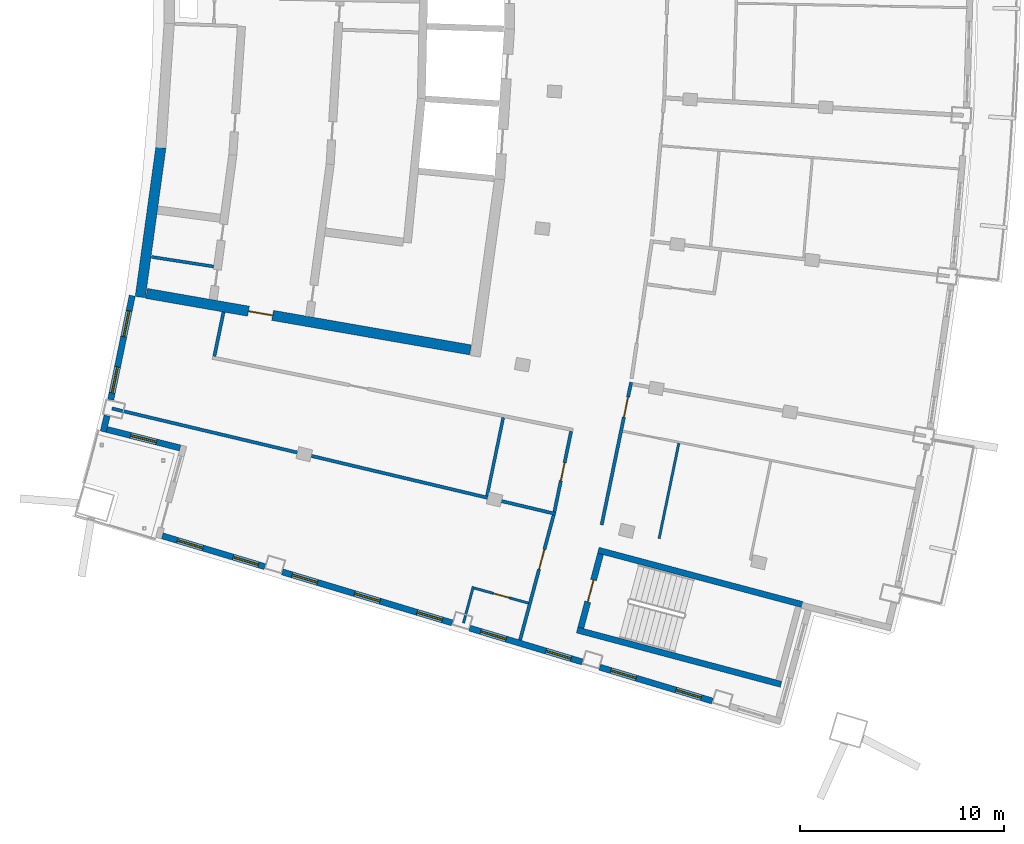
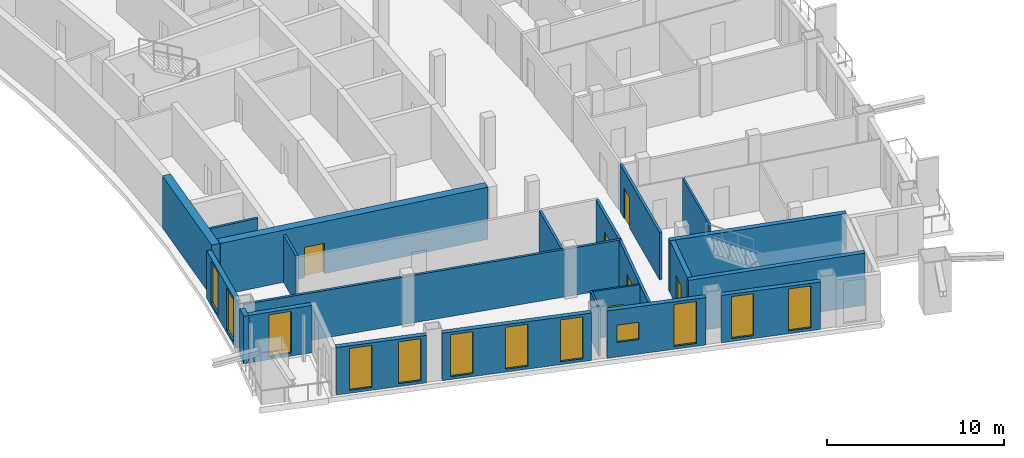
# One storey, part 5 of 15: 22 walls, 12 windows, 6 doors, 18 openings.
"""IFC4 building model written with IfcOpenShell, lengths in metres."""

from ifc_helpers import new_model, si_unit, direction, frame, frame_2d, origin, place, context, subcontext, project, spatial, rectangle, extrude, material, layer, layer_set, type_object, element, fill, save


model = new_model("IFC4")

# Units and contexts
model_context = context("Model", 3, precision=1e-05, world=origin(), true_north=direction((0.0, 1.0)))
body_context = subcontext(model_context, "Body", "Model", "MODEL_VIEW")
ifc_project = project(units=[si_unit("LENGTHUNIT", "METRE"), si_unit("AREAUNIT", "SQUARE_METRE"), si_unit("VOLUMEUNIT", "CUBIC_METRE"), si_unit("PLANEANGLEUNIT", "RADIAN"), si_unit("MASSUNIT", "GRAM", prefix="KILO")], contexts=[model_context])

# Site, building, storey
site_placement = place(None, origin())
site = spatial("IfcSite", under=ifc_project, at=site_placement, CompositionType="ELEMENT")
building_placement = place(site_placement, origin())
building = spatial("IfcBuilding", under=site, at=building_placement, Name="Alderwake Tower", CompositionType="ELEMENT")
storey_placement = place(building_placement, frame((0.0, 0.0, 285.199951171875)))
storey = spatial("IfcBuildingStorey", under=building, at=storey_placement, Name="L71", CompositionType="ELEMENT", Elevation=285.199951171875)

# Walls
ifc_material_1 = material(Name="Gypsum shaft wall system, rated")
ifc_layer_1 = layer(ifc_material_1, 0.14990234375)
ifc_layer_set_1 = layer_set([ifc_layer_1], Name="Core room partition 150")
wall_type_1 = type_object("IfcWallType", Name="Core room partition 150", PredefinedType="PARTITIONING", material=ifc_layer_set_1)
wall_1_placement = place(storey_placement, frame((15.826416015625, 46.128662109375, 0.0), z_axis=(0.0, 0.0, 1.0), x_axis=(0.988169349882, -0.153366671587, 0.0)))
element("IfcWall", 1, at=wall_1_placement, inside=storey, type_object=wall_type_1, Name="CW/L71/PR-161_+0", PredefinedType="PARTITIONING", context=body_context, shape_type="SweptSolid", body=[
    extrude(rectangle(XDim=3.081787109375, YDim=0.14990234375, at=frame_2d((1.541015625, 0.0))), origin(), (0.0, 0.0, 1.0), 3.280029296875),
])
ifc_material_2 = material(Name="Concrete C70/85", Category="concrete")
ifc_layer_2 = layer(ifc_material_2, 0.5)
ifc_layer_set_2 = layer_set([ifc_layer_2], Name="Core wall outer 500 C70-85")
wall_type_2 = type_object("IfcWallType", Name="Core wall outer 500 C70-85", PredefinedType="SHEAR", material=ifc_layer_set_2)
wall_2_placement = place(storey_placement, frame((15.272216796875, 44.155029296875, 0.0), z_axis=(0.0, 0.0, 1.0), x_axis=(0.13632182908, 0.990664604655, 0.0)))
element("IfcWall", 2, at=wall_2_placement, inside=storey, type_object=wall_type_2, Name="Core wall CW.028", PredefinedType="SHEAR", context=body_context, shape_type="SweptSolid", body=[
    extrude(rectangle(XDim=7.408935546875, YDim=0.5, at=frame_2d((3.70458984375, 0.0))), origin(), (0.0, 0.0, 1.0), 3.60009765625),
])

# Wall, opening, door
wall_3_placement = place(storey_placement, frame((31.47802734375, 41.564453125, 0.0), z_axis=(0.0, 0.0, 1.0), x_axis=(-0.985140274783, 0.171751678306, 0.0)))
wall_3 = element("IfcWall", 3, at=wall_3_placement, inside=storey, type_object=wall_type_2, Name="Core wall CW.072", PredefinedType="SHEAR", context=body_context, shape_type="SweptSolid", body=[
    extrude(rectangle(XDim=16.137939453125, YDim=0.5, at=frame_2d((8.06884765625, 0.0))), origin(), (0.0, 0.0, 1.0), 3.60009765625),
])
opening_1_placement = place(wall_3_placement, frame((9.859619140625, 0.0, 0.0)))
opening_1 = element("IfcOpeningElement", 4, at=opening_1_placement, cuts=wall_3, Name="Opening C003", PredefinedType="OPENING", context=body_context, shape_type="SweptSolid", body=[
    extrude(rectangle(XDim=1.199951171875, YDim=2.10009765625, at=frame_2d((0.60009765625, 1.050048828125))), frame((0.0, 0.260009765625, 0.0), z_axis=(0.0, -1.0, 0.0), x_axis=(1.0, 0.0, 0.0)), (0.0, 0.0, 1.0), 0.52001953125),
])
ifc_material_3 = material(Name="Steel-framed fire door leaf", Category="steel")
door_type_1 = type_object("IfcDoorType", Name="Core lobby exit door 1200 fire-rated", OperationType="SINGLE_SWING_LEFT", PredefinedType="DOOR", material=ifc_material_3)
door_1_placement = place(opening_1_placement, origin())
door_1 = element("IfcDoor", 5, at=door_1_placement, inside=storey, type_object=door_type_1, Name="Lobby door", OperationType="SINGLE_SWING_LEFT", OverallHeight=2.10009765625, OverallWidth=1.199951171875, PredefinedType="DOOR", context=body_context, shape_type="SweptSolid", body=[
    extrude(rectangle(XDim=1.199951171875, YDim=2.10009765625, at=frame_2d((0.60009765625, 1.050048828125))), frame((0.0, 0.02490234375, 0.0), z_axis=(0.0, -1.0, 0.0), x_axis=(1.0, 0.0, 0.0)), (0.0, 0.0, 1.0), 0.050048828125),
])
fill(opening_1, door_1)

# Walls
ifc_material_4 = material(Name="Concrete C70/85", Category="concrete")
ifc_layer_3 = layer(ifc_material_4, 0.300048828125)
ifc_layer_set_3 = layer_set([ifc_layer_3], Name="Core wall stair enclosure 300 C70-85")
wall_type_3 = type_object("IfcWallType", Name="Core wall stair enclosure 300 C70-85", PredefinedType="SHEAR", material=ifc_layer_set_3)
for number, where, z_axis, x_axis, name in (
    (6, (37.75390625, 31.731201171875, 0.0), (0.0, 0.0, 1.0), (0.966309214305, -0.257383958996, 0.0), "Core wall CW.086"),
    (7, (36.71142578125, 27.817626953125, 0.0), (0.0, 0.0, 1.0), (0.966309214305, -0.257383958996, 0.0), "Core wall CW.088"),
):
    element("IfcWall", number, at=place(storey_placement, frame(where, z_axis=z_axis, x_axis=x_axis)), inside=storey, type_object=wall_type_3, Name=name, PredefinedType="SHEAR", context=body_context, shape_type="SweptSolid", body=[
        extrude(rectangle(XDim=10.360107421875, YDim=0.300048828125, at=frame_2d((5.18017578125, 0.0))), origin(), (0.0, 0.0, 1.0), 3.60009765625),
    ])

# Wall, opening, door
wall_4_placement = place(storey_placement, frame((36.89501953125, 27.923828125, 0.0), z_axis=(0.0, 0.0, 1.0), x_axis=(0.257350630826, 0.966318090907, 0.0)))
wall_4 = element("IfcWall", 8, at=wall_4_placement, inside=storey, type_object=wall_type_3, Name="Core wall CW.087", PredefinedType="SHEAR", context=body_context, shape_type="SweptSolid", body=[
    extrude(rectangle(XDim=3.75, YDim=0.300048828125, at=frame_2d((1.875, 0.0))), origin(), (0.0, 0.0, 1.0), 3.60009765625),
])
opening_2_placement = place(wall_4_placement, frame((1.324951171875, 0.0, 0.0)))
opening_2 = element("IfcOpeningElement", 9, at=opening_2_placement, cuts=wall_4, Name="Opening C065", PredefinedType="OPENING", context=body_context, shape_type="SweptSolid", body=[
    extrude(rectangle(XDim=1.10009765625, YDim=2.10009765625, at=frame_2d((0.550048828125, 1.050048828125))), frame((0.0, 0.159912109375, 0.0), z_axis=(0.0, -1.0, 0.0), x_axis=(1.0, 0.0, 0.0)), (0.0, 0.0, 1.0), 0.320068359375),
])
ifc_material_5 = material(Name="Steel-framed fire door leaf", Category="steel")
door_type_2 = type_object("IfcDoorType", Name="Core stair door 1100 fire-rated", OperationType="SINGLE_SWING_LEFT", PredefinedType="DOOR", material=ifc_material_5)
door_2_placement = place(opening_2_placement, origin())
door_2 = element("IfcDoor", 10, at=door_2_placement, inside=storey, type_object=door_type_2, Name="Stair door", OperationType="SINGLE_SWING_LEFT", OverallHeight=2.10009765625, OverallWidth=1.10009765625, PredefinedType="DOOR", context=body_context, shape_type="SweptSolid", body=[
    extrude(rectangle(XDim=1.10009765625, YDim=2.10009765625, at=frame_2d((0.550048828125, 1.050048828125))), frame((0.0, 0.02490234375, 0.0), z_axis=(0.0, -1.0, 0.0), x_axis=(1.0, 0.0, 0.0)), (0.0, 0.0, 1.0), 0.050048828125),
])
fill(opening_2, door_2)

# Walls
ifc_material_6 = material(Name="Gypsum board on metal studs, rated")
ifc_layer_4 = layer(ifc_material_6, 0.159912109375)
ifc_layer_set_4 = layer_set([ifc_layer_4], Name="Corridor wall 160")
wall_type_4 = type_object("IfcWallType", Name="Corridor wall 160", PredefinedType="PARTITIONING", material=ifc_layer_set_4)
wall_5_placement = place(storey_placement, frame((13.884033203125, 38.68798828125, 0.0), z_axis=(0.0, 0.0, 1.0), x_axis=(0.972893462073, -0.231253781493, 0.0)))
element("IfcWall", 11, at=wall_5_placement, inside=storey, type_object=wall_type_4, Name="WL/L71/W08", PredefinedType="PARTITIONING", context=body_context, shape_type="SweptSolid", body=[
    extrude(rectangle(XDim=22.38037109375, YDim=0.159912109375, at=frame_2d((11.190185546875, 0.0))), origin(), (0.0, 0.0, 1.0), 3.280029296875),
])
wall_6_placement = place(storey_placement, frame((19.35888671875, 43.430908203125, 0.0), z_axis=(0.0, 0.0, 1.0), x_axis=(-0.202554916658, -0.979270905183, 0.0)))
element("IfcWall", 12, at=wall_6_placement, inside=storey, type_object=wall_type_4, Name="WL/L71/W11", PredefinedType="PARTITIONING", context=body_context, shape_type="SweptSolid", body=[
    extrude(rectangle(XDim=2.229736328125, YDim=0.159912109375, at=frame_2d((1.11474609375, 0.0))), origin(), (0.0, 0.0, 1.0), 3.280029296875),
])

# Wall, opening, door
wall_7_placement = place(storey_placement, frame((33.912109375, 27.321044921875, 0.0), z_axis=(0.0, 0.0, 1.0), x_axis=(0.259370874835, 0.965777794986, 0.0)))
wall_7 = element("IfcWall", 13, at=wall_7_placement, inside=storey, type_object=wall_type_4, Name="WL/L71/W14", PredefinedType="PARTITIONING", context=body_context, shape_type="SweptSolid", body=[
    extrude(rectangle(XDim=6.349853515625, YDim=0.159912109375, at=frame_2d((3.1748046875, 0.0))), origin(), (0.0, 0.0, 1.0), 3.280029296875),
])
opening_3_placement = place(wall_7_placement, frame((3.603515625, 0.0, 0.0)))
opening_3 = element("IfcOpeningElement", 14, at=opening_3_placement, cuts=wall_7, Name="Opening R20-U08.1", PredefinedType="OPENING", context=body_context, shape_type="SweptSolid", body=[
    extrude(rectangle(XDim=1.0, YDim=2.10009765625, at=frame_2d((0.5, 1.050048828125))), frame((0.0, 0.08984375, 0.0), z_axis=(0.0, -1.0, 0.0), x_axis=(1.0, 0.0, 0.0)), (0.0, 0.0, 1.0), 0.179931640625),
])
ifc_material_7 = material(Name="Solid timber leaf in steel frame", Category="steel")
door_type_3 = type_object("IfcDoorType", Name="Flat entrance door 1000 fire-rated", OperationType="SINGLE_SWING_LEFT", PredefinedType="DOOR", material=ifc_material_7)
door_3_placement = place(opening_3_placement, origin())
door_3 = element("IfcDoor", 15, at=door_3_placement, inside=storey, type_object=door_type_3, Name="DR/L71/U08.1", OperationType="SINGLE_SWING_LEFT", OverallHeight=2.10009765625, OverallWidth=1.0, PredefinedType="DOOR", context=body_context, shape_type="SweptSolid", body=[
    extrude(rectangle(XDim=1.0, YDim=2.10009765625, at=frame_2d((0.5, 1.050048828125))), frame((0.0, 0.02490234375, 0.0), z_axis=(0.0, -1.0, 0.0), x_axis=(1.0, 0.0, 0.0)), (0.0, 0.0, 1.0), 0.050048828125),
])
fill(opening_3, door_3)

wall_8_placement = place(storey_placement, frame((35.59619140625, 33.609375, 0.0), z_axis=(0.0, 0.0, 1.0), x_axis=(0.203245920818, 0.979127721838, 0.0)))
wall_8 = element("IfcWall", 16, at=wall_8_placement, inside=storey, type_object=wall_type_4, Name="WL/L71/W16", PredefinedType="PARTITIONING", context=body_context, shape_type="SweptSolid", body=[
    extrude(rectangle(XDim=4.046875, YDim=0.159912109375, at=frame_2d((2.0234375, 0.0))), origin(), (0.0, 0.0, 1.0), 3.280029296875),
])
opening_4_placement = place(wall_8_placement, frame((1.573486328125, 0.0, 0.0)))
opening_4 = element("IfcOpeningElement", 17, at=opening_4_placement, cuts=wall_8, Name="Opening R20-SBS2", PredefinedType="OPENING", context=body_context, shape_type="SweptSolid", body=[
    extrude(rectangle(XDim=0.89990234375, YDim=2.10009765625, at=frame_2d((0.449951171875, 1.050048828125))), frame((0.0, 0.08984375, 0.0), z_axis=(0.0, -1.0, 0.0), x_axis=(1.0, 0.0, 0.0)), (0.0, 0.0, 1.0), 0.179931640625),
])
ifc_material_8 = material(Name="Painted timber leaf", Category="wood")
door_type_4 = type_object("IfcDoorType", Name="Room door 900", OperationType="SINGLE_SWING_LEFT", PredefinedType="DOOR", material=ifc_material_8)
door_4_placement = place(opening_4_placement, origin())
door_4 = element("IfcDoor", 18, at=door_4_placement, inside=storey, type_object=door_type_4, Name="DR/L71/SBS2", OperationType="SINGLE_SWING_LEFT", OverallHeight=2.10009765625, OverallWidth=0.89990234375, PredefinedType="DOOR", context=body_context, shape_type="SweptSolid", body=[
    extrude(rectangle(XDim=0.89990234375, YDim=2.10009765625, at=frame_2d((0.449951171875, 1.050048828125))), frame((0.0, 0.02490234375, 0.0), z_axis=(0.0, -1.0, 0.0), x_axis=(1.0, 0.0, 0.0)), (0.0, 0.0, 1.0), 0.050048828125),
])
fill(opening_4, door_4)

wall_9_placement = place(storey_placement, frame((39.3642578125, 39.975341796875, 0.0), z_axis=(0.0, 0.0, 1.0), x_axis=(-0.202490391407, -0.979284249535, 0.0)))
wall_9 = element("IfcWall", 19, at=wall_9_placement, inside=storey, type_object=wall_type_4, Name="WL/L71/W18", PredefinedType="PARTITIONING", context=body_context, shape_type="SweptSolid", body=[
    extrude(rectangle(XDim=7.147216796875, YDim=0.159912109375, at=frame_2d((3.57373046875, 0.0))), origin(), (0.0, 0.0, 1.0), 3.280029296875),
])
opening_5_placement = place(wall_9_placement, frame((0.7568359375, 0.0, 0.0)))
opening_5 = element("IfcOpeningElement", 20, at=opening_5_placement, cuts=wall_9, Name="Opening R20-U03.2", PredefinedType="OPENING", context=body_context, shape_type="SweptSolid", body=[
    extrude(rectangle(XDim=1.0, YDim=2.10009765625, at=frame_2d((0.5, 1.050048828125))), frame((0.0, 0.08984375, 0.0), z_axis=(0.0, -1.0, 0.0), x_axis=(1.0, 0.0, 0.0)), (0.0, 0.0, 1.0), 0.179931640625),
])
door_5_placement = place(opening_5_placement, origin())
door_5 = element("IfcDoor", 21, at=door_5_placement, inside=storey, type_object=door_type_3, Name="DR/L71/U03.2", OperationType="SINGLE_SWING_LEFT", OverallHeight=2.10009765625, OverallWidth=1.0, PredefinedType="DOOR", context=body_context, shape_type="SweptSolid", body=[
    extrude(rectangle(XDim=1.0, YDim=2.10009765625, at=frame_2d((0.5, 1.050048828125))), frame((0.0, 0.02490234375, 0.0), z_axis=(0.0, -1.0, 0.0), x_axis=(1.0, 0.0, 0.0)), (0.0, 0.0, 1.0), 0.050048828125),
])
fill(opening_5, door_5)

# Wall
ifc_material_9 = material(Name="Precast concrete C50/60 spandrel panel", Category="concrete")
ifc_layer_5 = layer(ifc_material_9, 0.300048828125)
ifc_layer_set_5 = layer_set([ifc_layer_5], Name="External wall EW1 Precast concrete C50/60 spandrel")
wall_type_5 = type_object("IfcWallType", Name="External wall EW1 Precast concrete C50/60 spandrel", PredefinedType="SOLIDWALL", material=ifc_layer_set_5)
wall_10_placement = place(storey_placement, frame((13.643310546875, 38.33154296875, 0.0), z_axis=(0.0, 0.0, 1.0), x_axis=(-0.238313493867, -0.971188281767, 0.0)))
element("IfcWall", 22, at=wall_10_placement, inside=storey, type_object=wall_type_5, Name="External wall 1", PredefinedType="SOLIDWALL", context=body_context, shape_type="SweptSolid", body=[
    extrude(rectangle(XDim=0.80322265625, YDim=0.300048828125, at=frame_2d((0.401611328125, 0.0))), origin(), (0.0, 0.0, 1.0), 3.280029296875),
])

# Wall, openings, windows
wall_11_placement = place(storey_placement, frame((14.878173828125, 44.223388671875, 0.0), z_axis=(0.0, 0.0, 1.0), x_axis=(-0.202760516883, -0.979228355795, 0.0)))
wall_11 = element("IfcWall", 23, at=wall_11_placement, inside=storey, type_object=wall_type_5, Name="External wall 32", PredefinedType="SOLIDWALL", context=body_context, shape_type="SweptSolid", body=[
    extrude(rectangle(XDim=5.211181640625, YDim=0.300048828125, at=frame_2d((2.60546875, 0.0))), origin(), (0.0, 0.0, 1.0), 3.280029296875),
])
opening_6_placement = place(wall_11_placement, frame((0.75634765625, 0.0, 0.199951171875)))
opening_6 = element("IfcOpeningElement", 24, at=opening_6_placement, cuts=wall_11, Name="Opening W1", PredefinedType="OPENING", context=body_context, shape_type="SweptSolid", body=[
    extrude(rectangle(XDim=1.300048828125, YDim=2.89990234375, at=frame_2d((0.64990234375, 1.449951171875))), frame((0.0, 0.159912109375, 0.0), z_axis=(0.0, -1.0, 0.0), x_axis=(1.0, 0.0, 0.0)), (0.0, 0.0, 1.0), 0.320068359375),
])
opening_7_placement = place(wall_11_placement, frame((3.569091796875, 0.0, 0.199951171875)))
opening_7 = element("IfcOpeningElement", 25, at=opening_7_placement, cuts=wall_11, Name="Opening W1", PredefinedType="OPENING", context=body_context, shape_type="SweptSolid", body=[
    extrude(rectangle(XDim=1.300048828125, YDim=2.89990234375, at=frame_2d((0.64990234375, 1.449951171875))), frame((0.0, 0.159912109375, 0.0), z_axis=(0.0, -1.0, 0.0), x_axis=(1.0, 0.0, 0.0)), (0.0, 0.0, 1.0), 0.320068359375),
])
ifc_material_10 = material(Name="Bronze tinted glass in aluminium frame", Category="aluminium")
window_type_1 = type_object("IfcWindowType", Name="Window W1 tall fixed and vent", PartitioningType="DOUBLE_PANEL_VERTICAL", PredefinedType="WINDOW", material=ifc_material_10)
window_1_placement = place(opening_6_placement, origin())
window_1 = element("IfcWindow", 26, at=window_1_placement, inside=storey, type_object=window_type_1, Name="Window W1 tall fixed and vent", OverallHeight=2.89990234375, OverallWidth=1.300048828125, PartitioningType="DOUBLE_PANEL_VERTICAL", PredefinedType="WINDOW", context=body_context, shape_type="SweptSolid", body=[
    extrude(rectangle(XDim=1.300048828125, YDim=2.89990234375, at=frame_2d((0.64990234375, 1.449951171875))), frame((0.0, 0.030029296875, 0.0), z_axis=(0.0, -1.0, 0.0), x_axis=(1.0, 0.0, 0.0)), (0.0, 0.0, 1.0), 0.06005859375),
])
fill(opening_6, window_1)
window_2_placement = place(opening_7_placement, origin())
window_2 = element("IfcWindow", 27, at=window_2_placement, inside=storey, type_object=window_type_1, Name="Window W1 tall fixed and vent", OverallHeight=2.89990234375, OverallWidth=1.300048828125, PartitioningType="DOUBLE_PANEL_VERTICAL", PredefinedType="WINDOW", context=body_context, shape_type="SweptSolid", body=[
    extrude(rectangle(XDim=1.300048828125, YDim=2.89990234375, at=frame_2d((0.64990234375, 1.449951171875))), frame((0.0, 0.030029296875, 0.0), z_axis=(0.0, -1.0, 0.0), x_axis=(1.0, 0.0, 0.0)), (0.0, 0.0, 1.0), 0.06005859375),
])
fill(opening_7, window_2)

# Wall, opening, window
ifc_material_11 = material(Name="Bronze metal cladding on lightweight framing")
ifc_layer_6 = layer(ifc_material_11, 0.300048828125)
ifc_layer_set_6 = layer_set([ifc_layer_6], Name="External wall EW2 bronze metal cladding")
wall_type_6 = type_object("IfcWallType", Name="External wall EW2 bronze metal cladding", PredefinedType="SOLIDWALL", material=ifc_layer_set_6)
wall_12_placement = place(storey_placement, frame((13.633056640625, 37.660400390625, 0.0), z_axis=(0.0, 0.0, 1.0), x_axis=(0.969417366605, -0.245417948254, 0.0)))
wall_12 = element("IfcWall", 28, at=wall_12_placement, inside=storey, type_object=wall_type_6, Name="External wall 2", PredefinedType="SOLIDWALL", context=body_context, shape_type="SweptSolid", body=[
    extrude(rectangle(XDim=3.70556640625, YDim=0.300048828125, at=frame_2d((1.852783203125, 0.0))), origin(), (0.0, 0.0, 1.0), 3.280029296875),
])
opening_8_placement = place(wall_12_placement, frame((1.202880859375, 0.0, 0.199951171875)))
opening_8 = element("IfcOpeningElement", 29, at=opening_8_placement, cuts=wall_12, Name="Opening W1", PredefinedType="OPENING", context=body_context, shape_type="SweptSolid", body=[
    extrude(rectangle(XDim=1.300048828125, YDim=2.89990234375, at=frame_2d((0.64990234375, 1.449951171875))), frame((0.0, 0.159912109375, 0.0), z_axis=(0.0, -1.0, 0.0), x_axis=(1.0, 0.0, 0.0)), (0.0, 0.0, 1.0), 0.320068359375),
])
window_3_placement = place(opening_8_placement, origin())
window_3 = element("IfcWindow", 30, at=window_3_placement, inside=storey, type_object=window_type_1, Name="Window W1 tall fixed and vent", OverallHeight=2.89990234375, OverallWidth=1.300048828125, PartitioningType="DOUBLE_PANEL_VERTICAL", PredefinedType="WINDOW", context=body_context, shape_type="SweptSolid", body=[
    extrude(rectangle(XDim=1.300048828125, YDim=2.89990234375, at=frame_2d((0.64990234375, 1.449951171875))), frame((0.0, 0.030029296875, 0.0), z_axis=(0.0, -1.0, 0.0), x_axis=(1.0, 0.0, 0.0)), (0.0, 0.0, 1.0), 0.06005859375),
])
fill(opening_8, window_3)

# Wall, openings, windows
wall_13_placement = place(storey_placement, frame((16.352783203125, 32.4375, 0.0), z_axis=(0.0, 0.0, 1.0), x_axis=(0.957768668152, -0.287539872551, 0.0)))
wall_13 = element("IfcWall", 31, at=wall_13_placement, inside=storey, type_object=wall_type_6, Name="External wall 4", PredefinedType="SOLIDWALL", context=body_context, shape_type="SweptSolid", body=[
    extrude(rectangle(XDim=5.249755859375, YDim=0.300048828125, at=frame_2d((2.625, 0.0))), origin(), (0.0, 0.0, 1.0), 3.280029296875),
])
opening_9_placement = place(wall_13_placement, frame((0.775390625, 0.0, 0.199951171875)))
opening_9 = element("IfcOpeningElement", 32, at=opening_9_placement, cuts=wall_13, Name="Opening W1", PredefinedType="OPENING", context=body_context, shape_type="SweptSolid", body=[
    extrude(rectangle(XDim=1.300048828125, YDim=2.89990234375, at=frame_2d((0.64990234375, 1.449951171875))), frame((0.0, 0.159912109375, 0.0), z_axis=(0.0, -1.0, 0.0), x_axis=(1.0, 0.0, 0.0)), (0.0, 0.0, 1.0), 0.320068359375),
])
opening_10_placement = place(wall_13_placement, frame((3.626220703125, 0.0, 0.199951171875)))
opening_10 = element("IfcOpeningElement", 33, at=opening_10_placement, cuts=wall_13, Name="Opening W1", PredefinedType="OPENING", context=body_context, shape_type="SweptSolid", body=[
    extrude(rectangle(XDim=1.300048828125, YDim=2.89990234375, at=frame_2d((0.64990234375, 1.449951171875))), frame((0.0, 0.159912109375, 0.0), z_axis=(0.0, -1.0, 0.0), x_axis=(1.0, 0.0, 0.0)), (0.0, 0.0, 1.0), 0.320068359375),
])
window_4_placement = place(opening_9_placement, origin())
window_4 = element("IfcWindow", 34, at=window_4_placement, inside=storey, type_object=window_type_1, Name="Window W1 tall fixed and vent", OverallHeight=2.89990234375, OverallWidth=1.300048828125, PartitioningType="DOUBLE_PANEL_VERTICAL", PredefinedType="WINDOW", context=body_context, shape_type="SweptSolid", body=[
    extrude(rectangle(XDim=1.300048828125, YDim=2.89990234375, at=frame_2d((0.64990234375, 1.449951171875))), frame((0.0, 0.030029296875, 0.0), z_axis=(0.0, -1.0, 0.0), x_axis=(1.0, 0.0, 0.0)), (0.0, 0.0, 1.0), 0.06005859375),
])
fill(opening_9, window_4)
window_5_placement = place(opening_10_placement, origin())
window_5 = element("IfcWindow", 35, at=window_5_placement, inside=storey, type_object=window_type_1, Name="Window W1 tall fixed and vent", OverallHeight=2.89990234375, OverallWidth=1.300048828125, PartitioningType="DOUBLE_PANEL_VERTICAL", PredefinedType="WINDOW", context=body_context, shape_type="SweptSolid", body=[
    extrude(rectangle(XDim=1.300048828125, YDim=2.89990234375, at=frame_2d((0.64990234375, 1.449951171875))), frame((0.0, 0.030029296875, 0.0), z_axis=(0.0, -1.0, 0.0), x_axis=(1.0, 0.0, 0.0)), (0.0, 0.0, 1.0), 0.06005859375),
])
fill(opening_10, window_5)

wall_14_placement = place(storey_placement, frame((22.24658203125, 30.668212890625, 0.0), z_axis=(0.0, 0.0, 1.0), x_axis=(0.957762902908, -0.287559075345, 0.0)))
wall_14 = element("IfcWall", 36, at=wall_14_placement, inside=storey, type_object=wall_type_6, Name="External wall 5", PredefinedType="SOLIDWALL", context=body_context, shape_type="SweptSolid", body=[
    extrude(rectangle(XDim=8.696533203125, YDim=0.300048828125, at=frame_2d((4.34814453125, 0.0))), origin(), (0.0, 0.0, 1.0), 3.280029296875),
])
opening_11_placement = place(wall_14_placement, frame((0.498046875, 0.0, 0.199951171875)))
opening_11 = element("IfcOpeningElement", 37, at=opening_11_placement, cuts=wall_14, Name="Opening W1", PredefinedType="OPENING", context=body_context, shape_type="SweptSolid", body=[
    extrude(rectangle(XDim=1.300048828125, YDim=2.89990234375, at=frame_2d((0.64990234375, 1.449951171875))), frame((0.0, 0.159912109375, 0.0), z_axis=(0.0, -1.0, 0.0), x_axis=(1.0, 0.0, 0.0)), (0.0, 0.0, 1.0), 0.320068359375),
])
opening_12_placement = place(wall_14_placement, frame((3.697998046875, 0.0, 0.199951171875)))
opening_12 = element("IfcOpeningElement", 38, at=opening_12_placement, cuts=wall_14, Name="Opening W1", PredefinedType="OPENING", context=body_context, shape_type="SweptSolid", body=[
    extrude(rectangle(XDim=1.300048828125, YDim=2.89990234375, at=frame_2d((0.64990234375, 1.449951171875))), frame((0.0, 0.159912109375, 0.0), z_axis=(0.0, -1.0, 0.0), x_axis=(1.0, 0.0, 0.0)), (0.0, 0.0, 1.0), 0.320068359375),
])
opening_13_placement = place(wall_14_placement, frame((6.898193359375, 0.0, 0.199951171875)))
opening_13 = element("IfcOpeningElement", 39, at=opening_13_placement, cuts=wall_14, Name="Opening W1", PredefinedType="OPENING", context=body_context, shape_type="SweptSolid", body=[
    extrude(rectangle(XDim=1.300048828125, YDim=2.89990234375, at=frame_2d((0.64990234375, 1.449951171875))), frame((0.0, 0.159912109375, 0.0), z_axis=(0.0, -1.0, 0.0), x_axis=(1.0, 0.0, 0.0)), (0.0, 0.0, 1.0), 0.320068359375),
])
window_6_placement = place(opening_11_placement, origin())
window_6 = element("IfcWindow", 40, at=window_6_placement, inside=storey, type_object=window_type_1, Name="Window W1 tall fixed and vent", OverallHeight=2.89990234375, OverallWidth=1.300048828125, PartitioningType="DOUBLE_PANEL_VERTICAL", PredefinedType="WINDOW", context=body_context, shape_type="SweptSolid", body=[
    extrude(rectangle(XDim=1.300048828125, YDim=2.89990234375, at=frame_2d((0.64990234375, 1.449951171875))), frame((0.0, 0.030029296875, 0.0), z_axis=(0.0, -1.0, 0.0), x_axis=(1.0, 0.0, 0.0)), (0.0, 0.0, 1.0), 0.06005859375),
])
fill(opening_11, window_6)
window_7_placement = place(opening_12_placement, origin())
window_7 = element("IfcWindow", 41, at=window_7_placement, inside=storey, type_object=window_type_1, Name="Window W1 tall fixed and vent", OverallHeight=2.89990234375, OverallWidth=1.300048828125, PartitioningType="DOUBLE_PANEL_VERTICAL", PredefinedType="WINDOW", context=body_context, shape_type="SweptSolid", body=[
    extrude(rectangle(XDim=1.300048828125, YDim=2.89990234375, at=frame_2d((0.64990234375, 1.449951171875))), frame((0.0, 0.030029296875, 0.0), z_axis=(0.0, -1.0, 0.0), x_axis=(1.0, 0.0, 0.0)), (0.0, 0.0, 1.0), 0.06005859375),
])
fill(opening_12, window_7)
window_8_placement = place(opening_13_placement, origin())
window_8 = element("IfcWindow", 42, at=window_8_placement, inside=storey, type_object=window_type_1, Name="Window W1 tall fixed and vent", OverallHeight=2.89990234375, OverallWidth=1.300048828125, PartitioningType="DOUBLE_PANEL_VERTICAL", PredefinedType="WINDOW", context=body_context, shape_type="SweptSolid", body=[
    extrude(rectangle(XDim=1.300048828125, YDim=2.89990234375, at=frame_2d((0.64990234375, 1.449951171875))), frame((0.0, 0.030029296875, 0.0), z_axis=(0.0, -1.0, 0.0), x_axis=(1.0, 0.0, 0.0)), (0.0, 0.0, 1.0), 0.06005859375),
])
fill(opening_13, window_8)

wall_15_placement = place(storey_placement, frame((31.441162109375, 27.90771484375, 0.0), z_axis=(0.0, 0.0, 1.0), x_axis=(0.957767971424, -0.287542193278, 0.0)))
wall_15 = element("IfcWall", 43, at=wall_15_placement, inside=storey, type_object=wall_type_6, Name="External wall 6", PredefinedType="SOLIDWALL", context=body_context, shape_type="SweptSolid", body=[
    extrude(rectangle(XDim=5.763427734375, YDim=0.300048828125, at=frame_2d((2.8818359375, 0.0))), origin(), (0.0, 0.0, 1.0), 3.280029296875),
])
opening_14_placement = place(wall_15_placement, frame((0.56494140625, 0.0, 1.0)))
opening_14 = element("IfcOpeningElement", 44, at=opening_14_placement, cuts=wall_15, Name="Opening W2", PredefinedType="OPENING", context=body_context, shape_type="SweptSolid", body=[
    extrude(rectangle(XDim=1.300048828125, YDim=1.199951171875, at=frame_2d((0.64990234375, 0.60009765625))), frame((0.0, 0.159912109375, 0.0), z_axis=(0.0, -1.0, 0.0), x_axis=(1.0, 0.0, 0.0)), (0.0, 0.0, 1.0), 0.320068359375),
])
opening_15_placement = place(wall_15_placement, frame((3.898193359375, 0.0, 0.199951171875)))
opening_15 = element("IfcOpeningElement", 45, at=opening_15_placement, cuts=wall_15, Name="Opening W1", PredefinedType="OPENING", context=body_context, shape_type="SweptSolid", body=[
    extrude(rectangle(XDim=1.300048828125, YDim=2.89990234375, at=frame_2d((0.64990234375, 1.449951171875))), frame((0.0, 0.159912109375, 0.0), z_axis=(0.0, -1.0, 0.0), x_axis=(1.0, 0.0, 0.0)), (0.0, 0.0, 1.0), 0.320068359375),
])
window_9_placement = place(opening_15_placement, origin())
window_9 = element("IfcWindow", 46, at=window_9_placement, inside=storey, type_object=window_type_1, Name="Window W1 tall fixed and vent", OverallHeight=2.89990234375, OverallWidth=1.300048828125, PartitioningType="DOUBLE_PANEL_VERTICAL", PredefinedType="WINDOW", context=body_context, shape_type="SweptSolid", body=[
    extrude(rectangle(XDim=1.300048828125, YDim=2.89990234375, at=frame_2d((0.64990234375, 1.449951171875))), frame((0.0, 0.030029296875, 0.0), z_axis=(0.0, -1.0, 0.0), x_axis=(1.0, 0.0, 0.0)), (0.0, 0.0, 1.0), 0.06005859375),
])
fill(opening_15, window_9)
ifc_material_12 = material(Name="Bronze tinted glass in aluminium frame", Category="aluminium")
window_type_2 = type_object("IfcWindowType", Name="Window W2 kitchen and bath", PartitioningType="SINGLE_PANEL", PredefinedType="WINDOW", material=ifc_material_12)
window_10_placement = place(opening_14_placement, origin())
window_10 = element("IfcWindow", 47, at=window_10_placement, inside=storey, type_object=window_type_2, Name="Window W2 kitchen and bath", OverallHeight=1.199951171875, OverallWidth=1.300048828125, PartitioningType="SINGLE_PANEL", PredefinedType="WINDOW", context=body_context, shape_type="SweptSolid", body=[
    extrude(rectangle(XDim=1.300048828125, YDim=1.199951171875, at=frame_2d((0.64990234375, 0.60009765625))), frame((0.0, 0.030029296875, 0.0), z_axis=(0.0, -1.0, 0.0), x_axis=(1.0, 0.0, 0.0)), (0.0, 0.0, 1.0), 0.06005859375),
])
fill(opening_14, window_10)

wall_16_placement = place(storey_placement, frame((37.826416015625, 25.990478515625, 0.0), z_axis=(0.0, 0.0, 1.0), x_axis=(0.957776135082, -0.287514999726, 0.0)))
wall_16 = element("IfcWall", 48, at=wall_16_placement, inside=storey, type_object=wall_type_6, Name="External wall 7", PredefinedType="SOLIDWALL", context=body_context, shape_type="SweptSolid", body=[
    extrude(rectangle(XDim=5.76318359375, YDim=0.300048828125, at=frame_2d((2.881591796875, 0.0))), origin(), (0.0, 0.0, 1.0), 3.280029296875),
])
opening_16_placement = place(wall_16_placement, frame((0.56494140625, 0.0, 0.199951171875)))
opening_16 = element("IfcOpeningElement", 49, at=opening_16_placement, cuts=wall_16, Name="Opening W1", PredefinedType="OPENING", context=body_context, shape_type="SweptSolid", body=[
    extrude(rectangle(XDim=1.300048828125, YDim=2.89990234375, at=frame_2d((0.64990234375, 1.449951171875))), frame((0.0, 0.159912109375, 0.0), z_axis=(0.0, -1.0, 0.0), x_axis=(1.0, 0.0, 0.0)), (0.0, 0.0, 1.0), 0.320068359375),
])
opening_17_placement = place(wall_16_placement, frame((3.898193359375, 0.0, 0.199951171875)))
opening_17 = element("IfcOpeningElement", 50, at=opening_17_placement, cuts=wall_16, Name="Opening W1", PredefinedType="OPENING", context=body_context, shape_type="SweptSolid", body=[
    extrude(rectangle(XDim=1.300048828125, YDim=2.89990234375, at=frame_2d((0.64990234375, 1.449951171875))), frame((0.0, 0.159912109375, 0.0), z_axis=(0.0, -1.0, 0.0), x_axis=(1.0, 0.0, 0.0)), (0.0, 0.0, 1.0), 0.320068359375),
])
window_11_placement = place(opening_16_placement, origin())
window_11 = element("IfcWindow", 51, at=window_11_placement, inside=storey, type_object=window_type_1, Name="Window W1 tall fixed and vent", OverallHeight=2.89990234375, OverallWidth=1.300048828125, PartitioningType="DOUBLE_PANEL_VERTICAL", PredefinedType="WINDOW", context=body_context, shape_type="SweptSolid", body=[
    extrude(rectangle(XDim=1.300048828125, YDim=2.89990234375, at=frame_2d((0.64990234375, 1.449951171875))), frame((0.0, 0.030029296875, 0.0), z_axis=(0.0, -1.0, 0.0), x_axis=(1.0, 0.0, 0.0)), (0.0, 0.0, 1.0), 0.06005859375),
])
fill(opening_16, window_11)
window_12_placement = place(opening_17_placement, origin())
window_12 = element("IfcWindow", 52, at=window_12_placement, inside=storey, type_object=window_type_1, Name="Window W1 tall fixed and vent", OverallHeight=2.89990234375, OverallWidth=1.300048828125, PartitioningType="DOUBLE_PANEL_VERTICAL", PredefinedType="WINDOW", context=body_context, shape_type="SweptSolid", body=[
    extrude(rectangle(XDim=1.300048828125, YDim=2.89990234375, at=frame_2d((0.64990234375, 1.449951171875))), frame((0.0, 0.030029296875, 0.0), z_axis=(0.0, -1.0, 0.0), x_axis=(1.0, 0.0, 0.0)), (0.0, 0.0, 1.0), 0.06005859375),
])
fill(opening_17, window_12)

# Walls
ifc_material_13 = material(Name="Gypsum shaft wall system, rated")
ifc_layer_7 = layer(ifc_material_13, 0.14990234375)
ifc_layer_set_7 = layer_set([ifc_layer_7], Name="Riser and shaft wall 150")
wall_type_7 = type_object("IfcWallType", Name="Riser and shaft wall 150", PredefinedType="PARTITIONING", material=ifc_layer_set_7)
wall_17_placement = place(storey_placement, frame((32.290283203125, 34.3955078125, 0.0), z_axis=(0.0, 0.0, 1.0), x_axis=(0.202568596204, 0.979268075571, 0.0)))
element("IfcWall", 53, at=wall_17_placement, inside=storey, type_object=wall_type_7, Name="WL/L71/W04", PredefinedType="PARTITIONING", context=body_context, shape_type="SweptSolid", body=[
    extrude(rectangle(XDim=3.926513671875, YDim=0.14990234375, at=frame_2d((1.96337890625, 0.0))), origin(), (0.0, 0.0, 1.0), 3.280029296875),
])
ifc_material_14 = material(Name="Moisture resistant gypsum board on metal studs")
ifc_layer_8 = layer(ifc_material_14, 0.1201171875)
ifc_layer_set_8 = layer_set([ifc_layer_8], Name="Wet room partition 120")
wall_type_8 = type_object("IfcWallType", Name="Wet room partition 120", PredefinedType="PARTITIONING", material=ifc_layer_set_8)
wall_18_placement = place(storey_placement, frame((31.61767578125, 29.949951171875, 0.0), z_axis=(0.0, 0.0, 1.0), x_axis=(-0.260171283127, -0.965562480338, 0.0)))
element("IfcWall", 54, at=wall_18_placement, inside=storey, type_object=wall_type_8, Name="WL/L71/W29", PredefinedType="PARTITIONING", context=body_context, shape_type="SweptSolid", body=[
    extrude(rectangle(XDim=1.85888671875, YDim=0.1201171875, at=frame_2d((0.929443359375, 0.0))), origin(), (0.0, 0.0, 1.0), 3.280029296875),
])

# Wall, opening, door
wall_19_placement = place(storey_placement, frame((34.31787109375, 29.136474609375, 0.0), z_axis=(0.0, 0.0, 1.0), x_axis=(-0.963407530319, 0.268040912036, 0.0)))
wall_19 = element("IfcWall", 55, at=wall_19_placement, inside=storey, type_object=wall_type_8, Name="WL/L71/W31", PredefinedType="PARTITIONING", context=body_context, shape_type="SweptSolid", body=[
    extrude(rectangle(XDim=2.759033203125, YDim=0.1201171875, at=frame_2d((1.37939453125, 0.0))), origin(), (0.0, 0.0, 1.0), 3.280029296875),
])
opening_18_placement = place(wall_19_placement, frame((0.9794921875, 0.0, 0.0)))
opening_18 = element("IfcOpeningElement", 56, at=opening_18_placement, cuts=wall_19, Name="Opening R20-U08.2", PredefinedType="OPENING", context=body_context, shape_type="SweptSolid", body=[
    extrude(rectangle(XDim=0.800048828125, YDim=2.10009765625, at=frame_2d((0.39990234375, 1.050048828125))), frame((0.0, 0.070068359375, 0.0), z_axis=(0.0, -1.0, 0.0), x_axis=(1.0, 0.0, 0.0)), (0.0, 0.0, 1.0), 0.14013671875),
])
ifc_material_15 = material(Name="Painted timber leaf", Category="wood")
door_type_5 = type_object("IfcDoorType", Name="Bathroom door 800", OperationType="SINGLE_SWING_LEFT", PredefinedType="DOOR", material=ifc_material_15)
door_6_placement = place(opening_18_placement, origin())
door_6 = element("IfcDoor", 57, at=door_6_placement, inside=storey, type_object=door_type_5, Name="DR/L71/U08.2", OperationType="SINGLE_SWING_LEFT", OverallHeight=2.10009765625, OverallWidth=0.800048828125, PredefinedType="DOOR", context=body_context, shape_type="SweptSolid", body=[
    extrude(rectangle(XDim=0.800048828125, YDim=2.10009765625, at=frame_2d((0.39990234375, 1.050048828125))), frame((0.0, 0.02490234375, 0.0), z_axis=(0.0, -1.0, 0.0), x_axis=(1.0, 0.0, 0.0)), (0.0, 0.0, 1.0), 0.050048828125),
])
fill(opening_18, door_6)

# Wall
wall_20_placement = place(storey_placement, frame((40.737060546875, 32.303955078125, 0.0), z_axis=(0.0, 0.0, 1.0), x_axis=(0.202548156077, 0.979272303535, 0.0)))
element("IfcWall", 58, at=wall_20_placement, inside=storey, type_object=wall_type_8, Name="WL/L71/W33", PredefinedType="PARTITIONING", context=body_context, shape_type="SweptSolid", body=[
    extrude(rectangle(XDim=4.778076171875, YDim=0.1201171875, at=frame_2d((2.38916015625, 0.0))), origin(), (0.0, 0.0, 1.0), 3.280029296875),
])

save(model, "model.ifc")
